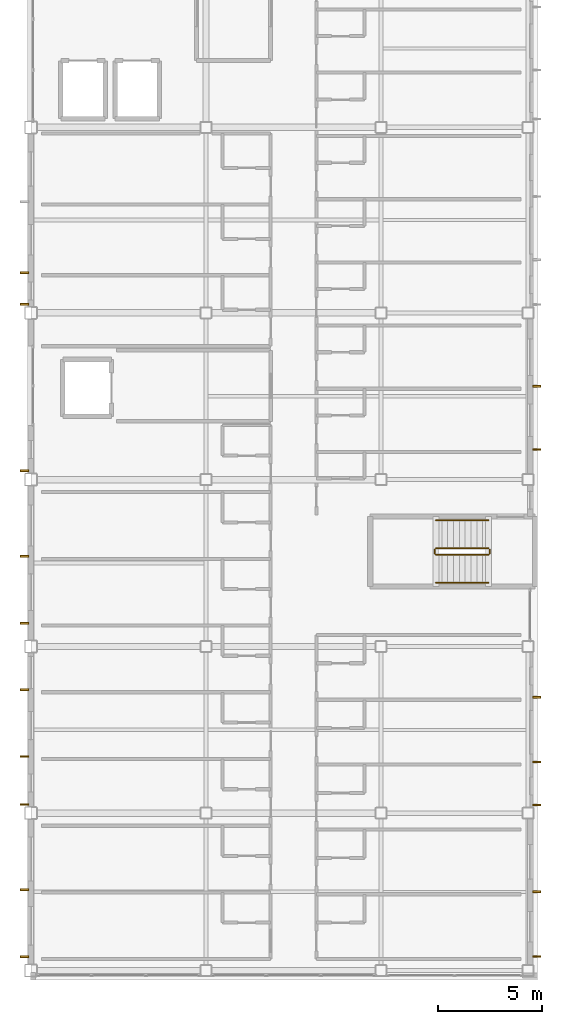
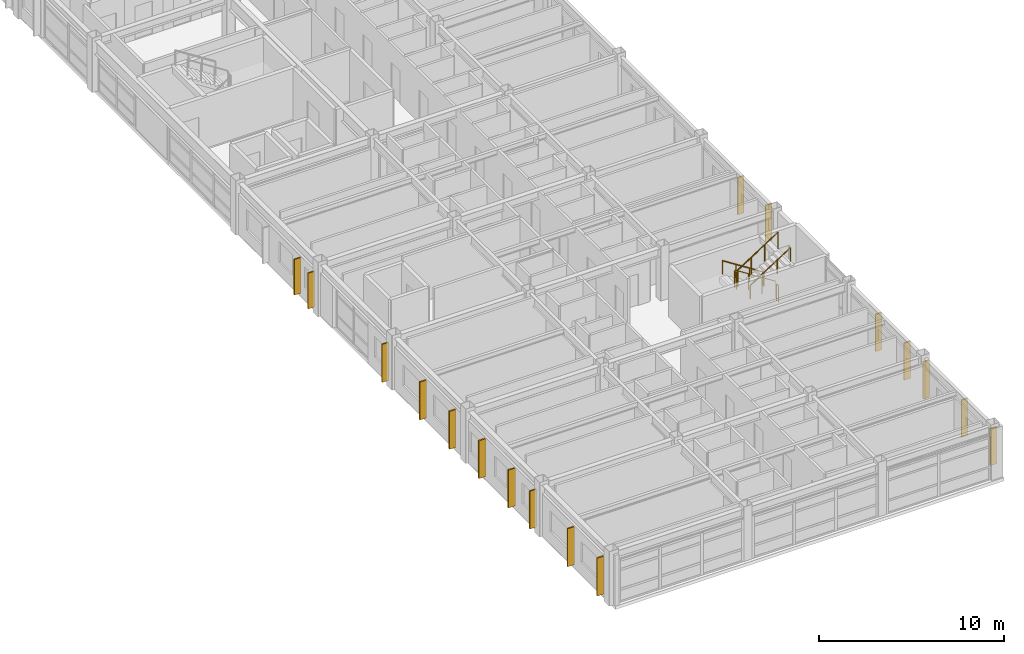
# One storey, part 35 of 38: 10 coverings, 7 shading devices, 6 railings.
"""IFC4 building model written with IfcOpenShell, lengths in metres."""

from ifc_helpers import new_model, si_unit, direction, frame, origin, origin_2d, place, context, subcontext, project, spatial, rectangle, circle, extrude, material, layer, layer_set, type_object, element, save


model = new_model("IFC4")

# Units and contexts
model_context = context("Model", 3, precision=1e-05, world=origin(), true_north=direction((0.0, 1.0)))
body_context = subcontext(model_context, "Body", "Model", "MODEL_VIEW")
ifc_project = project(units=[si_unit("LENGTHUNIT", "METRE"), si_unit("AREAUNIT", "SQUARE_METRE"), si_unit("VOLUMEUNIT", "CUBIC_METRE"), si_unit("PLANEANGLEUNIT", "RADIAN"), si_unit("MASSUNIT", "GRAM", prefix="KILO")], contexts=[model_context])

# Site, building, storey
site_placement = place(None, origin())
site = spatial("IfcSite", under=ifc_project, at=site_placement, CompositionType="ELEMENT")
building_placement = place(site_placement, origin())
building = spatial("IfcBuilding", under=site, at=building_placement, Name="Kazehara Bluff Congress Hotel", CompositionType="ELEMENT")
storey_placement = place(building_placement, frame((0.0, 0.0, 24.60009765625)))
storey = spatial("IfcBuildingStorey", under=building, at=storey_placement, Name="L05", CompositionType="ELEMENT", Elevation=24.60009765625)

# Coverings
ifc_material_1 = material(Name="Anodised aluminium architectural brise-soleil", Category="aluminium")
ifc_layer_1 = layer(ifc_material_1, 0.090087890625)
ifc_layer_set_1 = layer_set([ifc_layer_1], Name="Anodised aluminium architectural brise-soleil")
covering_type = type_object("IfcCoveringType", Name="TP-FFN-02", PredefinedType="CLADDING", material=ifc_layer_set_1)
for number, where, z_axis, x_axis, name in (
    (1, (143.389892578125, 1.1201171875, 0.197509765625), (0.0, 0.0, 1.0), (1.0, 0.0, 0.0), "L05 architectural vertical fin 27"),
    (2, (143.389892578125, 4.320068359375, 0.197509765625), (0.0, 0.0, 1.0), (1.0, 0.0, 0.0), "L05 architectural vertical fin 28"),
    (3, (143.389892578125, 8.419921875, 0.197509765625), (0.0, 0.0, 1.0), (1.0, 0.0, 0.0), "L05 architectural vertical fin 29"),
    (4, (143.389892578125, 10.719970703125, 0.197509765625), (0.0, 0.0, 1.0), (1.0, 0.0, 0.0), "L05 architectural vertical fin 30"),
    (5, (143.389892578125, 13.919921875, 0.197509765625), (0.0, 0.0, 1.0), (1.0, 0.0, 0.0), "L05 architectural vertical fin 31"),
    (6, (143.389892578125, 17.1201171875, 0.197509765625), (0.0, 0.0, 1.0), (1.0, 0.0, 0.0), "L05 architectural vertical fin 32"),
    (7, (143.389892578125, 20.320068359375, 0.197509765625), (0.0, 0.0, 1.0), (1.0, 0.0, 0.0), "L05 architectural vertical fin 33"),
    (8, (143.389892578125, 24.419921875, 0.197509765625), (0.0, 0.0, 1.0), (1.0, 0.0, 0.0), "L05 architectural vertical fin 34"),
):
    element("IfcCovering", number, at=place(storey_placement, frame(where, z_axis=z_axis, x_axis=x_axis)), inside=storey, type_object=covering_type, Name=name, PredefinedType="CLADDING", context=body_context, shape_type="SweptSolid", body=[
        extrude(rectangle(XDim=0.419921875, YDim=0.090087890625, at=origin_2d()), origin(), (0.0, 0.0, 1.0), 2.5048828125),
    ])
for number, where, z_axis, x_axis, name in (
    (9, (143.389892578125, 32.419921875, 0.202392578125), (0.0, 0.0, 1.0), (1.0, 0.0, 0.0), "L05 architectural vertical fin 35"),
    (10, (143.389892578125, 33.919921875, 0.202392578125), (0.0, 0.0, 1.0), (1.0, 0.0, 0.0), "L05 architectural vertical fin 36"),
):
    element("IfcCovering", number, at=place(storey_placement, frame(where, z_axis=z_axis, x_axis=x_axis)), inside=storey, type_object=covering_type, Name=name, PredefinedType="CLADDING", context=body_context, shape_type="SweptSolid", body=[
        extrude(rectangle(XDim=0.419921875, YDim=0.090087890625, at=origin_2d()), origin(), (0.0, 0.0, 1.0), 2.35498046875),
    ])

# Railings
ifc_material_2 = material(Name="Brushed stainless steel", Category="steel")
railing_type_1 = type_object("IfcRailingType", Name="TP-GRD-INT", PredefinedType="GUARDRAIL", material=ifc_material_2)
railing_1_placement = place(storey_placement, frame((165.64990234375, 20.699951171875, 0.179931640625)))
element("IfcRailing", 11, at=railing_1_placement, inside=storey, type_object=railing_type_1, Name="L05 ST-10 stair guard 1", PredefinedType="GUARDRAIL", context=body_context, shape_type="SweptSolid", body=[
    extrude(circle(Radius=0.02392578125, at=origin_2d()), frame((0.0, 0.0, 1.076171875), z_axis=(-0.841199657755, 0.0, 0.540724639528), x_axis=(0.0, -1.0, 0.0)), (0.0, 0.0, 1.0), 2.995849609375),
    extrude(circle(Radius=0.02099609375, at=origin_2d()), origin(), (0.0, 0.0, 1.0), 1.052001953125),
    extrude(circle(Radius=0.02099609375, at=origin_2d()), frame((-0.840087890625, 0.0, 0.5400390625)), (0.0, 0.0, 1.0), 1.052001953125),
    extrude(circle(Radius=0.02099609375, at=origin_2d()), frame((-1.679931640625, 0.0, 1.079833984375)), (0.0, 0.0, 1.0), 1.052001953125),
    extrude(circle(Radius=0.02099609375, at=origin_2d()), frame((-2.52001953125, 0.0, 1.619873046875)), (0.0, 0.0, 1.0), 1.052001953125),
])
railing_2_placement = place(storey_placement, frame((163.080078125, 20.64990234375, 1.7998046875)))
element("IfcRailing", 12, at=railing_2_placement, inside=storey, type_object=railing_type_1, Name="L05 ST-10 stair guard 2", PredefinedType="GUARDRAIL", context=body_context, shape_type="SweptSolid", body=[
    extrude(circle(Radius=0.02392578125, at=origin_2d()), frame((0.0, 0.0, 1.076171875), z_axis=(0.0, -1.0, 0.0), x_axis=(1.0, 0.0, 0.0)), (0.0, 0.0, 1.0), 0.199951171875),
    extrude(circle(Radius=0.02099609375, at=origin_2d()), origin(), (0.0, 0.0, 1.0), 1.052001953125),
    extrude(circle(Radius=0.02099609375, at=origin_2d()), frame((0.0, -0.199951171875, 0.0)), (0.0, 0.0, 1.0), 1.052001953125),
])
railing_3_placement = place(storey_placement, frame((163.1298828125, 20.39990234375, 1.97998046875)))
element("IfcRailing", 13, at=railing_3_placement, inside=storey, type_object=railing_type_1, Name="L05 ST-10 stair guard 3", PredefinedType="GUARDRAIL", context=body_context, shape_type="SweptSolid", body=[
    extrude(circle(Radius=0.02392578125, at=origin_2d()), frame((0.0, 0.0, 1.076171875), z_axis=(0.841199657755, 0.0, 0.540724639528), x_axis=(0.0, 1.0, 0.0)), (0.0, 0.0, 1.0), 2.995849609375),
    extrude(circle(Radius=0.02099609375, at=origin_2d()), origin(), (0.0, 0.0, 1.0), 1.052001953125),
    extrude(circle(Radius=0.02099609375, at=origin_2d()), frame((0.840087890625, 0.0, 0.5400390625)), (0.0, 0.0, 1.0), 1.052001953125),
    extrude(circle(Radius=0.02099609375, at=origin_2d()), frame((1.679931640625, 0.0, 1.079833984375)), (0.0, 0.0, 1.0), 1.052001953125),
    extrude(circle(Radius=0.02099609375, at=origin_2d()), frame((2.52001953125, 0.0, 1.619873046875)), (0.0, 0.0, 1.0), 1.052001953125),
])
railing_4_placement = place(storey_placement, frame((165.699951171875, 20.64990234375, 0.0)))
element("IfcRailing", 14, at=railing_4_placement, inside=storey, type_object=railing_type_1, Name="L05 ST-10 stair guard 4", PredefinedType="GUARDRAIL", context=body_context, shape_type="SweptSolid", body=[
    extrude(circle(Radius=0.02392578125, at=origin_2d()), frame((0.0, 0.0, 1.076171875), z_axis=(0.0, -1.0, 0.0), x_axis=(1.0, 0.0, 0.0)), (0.0, 0.0, 1.0), 0.199951171875),
    extrude(circle(Radius=0.02099609375, at=origin_2d()), origin(), (0.0, 0.0, 1.0), 1.052001953125),
    extrude(circle(Radius=0.02099609375, at=origin_2d()), frame((0.0, -0.199951171875, 0.0)), (0.0, 0.0, 1.0), 1.052001953125),
])
ifc_material_3 = material(Name="Brushed stainless steel", Category="steel")
railing_type_2 = type_object("IfcRailingType", Name="TP-HR-INT", PredefinedType="HANDRAIL", material=ifc_material_3)
railing_5_placement = place(storey_placement, frame((165.64990234375, 22.050048828125, 0.179931640625)))
element("IfcRailing", 15, at=railing_5_placement, inside=storey, type_object=railing_type_2, Name="L05 ST-10 stair handrail 1", PredefinedType="HANDRAIL", context=body_context, shape_type="SweptSolid", body=[
    extrude(circle(Radius=0.02392578125, at=origin_2d()), frame((0.0, 0.0, 0.8759765625), z_axis=(-0.841199657755, 0.0, 0.540724639528), x_axis=(0.0, -1.0, 0.0)), (0.0, 0.0, 1.0), 2.995849609375),
    extrude(circle(Radius=0.02099609375, at=origin_2d()), origin(), (0.0, 0.0, 1.0), 0.851806640625),
    extrude(circle(Radius=0.02099609375, at=origin_2d()), frame((-0.840087890625, 0.0, 0.5400390625)), (0.0, 0.0, 1.0), 0.851806640625),
    extrude(circle(Radius=0.02099609375, at=origin_2d()), frame((-1.679931640625, 0.0, 1.079833984375)), (0.0, 0.0, 1.0), 0.851806640625),
    extrude(circle(Radius=0.02099609375, at=origin_2d()), frame((-2.52001953125, 0.0, 1.619873046875)), (0.0, 0.0, 1.0), 0.851806640625),
])
railing_6_placement = place(storey_placement, frame((163.1298828125, 19.050048828125, 1.97998046875)))
element("IfcRailing", 16, at=railing_6_placement, inside=storey, type_object=railing_type_2, Name="L05 ST-10 stair handrail 2", PredefinedType="HANDRAIL", context=body_context, shape_type="SweptSolid", body=[
    extrude(circle(Radius=0.02392578125, at=origin_2d()), frame((0.0, 0.0, 0.8759765625), z_axis=(0.841199657755, 0.0, 0.540724639528), x_axis=(0.0, 1.0, 0.0)), (0.0, 0.0, 1.0), 2.995849609375),
    extrude(circle(Radius=0.02099609375, at=origin_2d()), origin(), (0.0, 0.0, 1.0), 0.851806640625),
    extrude(circle(Radius=0.02099609375, at=origin_2d()), frame((0.840087890625, 0.0, 0.5400390625)), (0.0, 0.0, 1.0), 0.851806640625),
    extrude(circle(Radius=0.02099609375, at=origin_2d()), frame((1.679931640625, 0.0, 1.079833984375)), (0.0, 0.0, 1.0), 0.851806640625),
    extrude(circle(Radius=0.02099609375, at=origin_2d()), frame((2.52001953125, 0.0, 1.619873046875)), (0.0, 0.0, 1.0), 0.851806640625),
])

# Shading devices
ifc_material_4 = material(Name="Anodised aluminium", Category="aluminium")
ifc_layer_2 = layer(ifc_material_4, 0.080078125)
ifc_layer_set_2 = layer_set([ifc_layer_2], Name="Anodised aluminium")
shading_device_type = type_object("IfcShadingDeviceType", Name="TP-SHD-FIN", PredefinedType="USERDEFINED", material=ifc_layer_set_2)
for number, where, z_axis, x_axis, name in (
    (17, (167.9599609375, 1.1201171875, 0.202392578125), (0.0, 0.0, 1.0), (1.0, 0.0, 0.0), "L05 solar shading fin 1"),
    (18, (167.9599609375, 4.22998046875, 0.202392578125), (0.0, 0.0, 1.0), (1.0, 0.0, 0.0), "L05 solar shading fin 2"),
    (19, (167.9599609375, 8.39501953125, 0.202392578125), (0.0, 0.0, 1.0), (1.0, 0.0, 0.0), "L05 solar shading fin 3"),
    (20, (167.9599609375, 10.449951171875, 0.202392578125), (0.0, 0.0, 1.0), (1.0, 0.0, 0.0), "L05 solar shading fin 4"),
    (21, (167.9599609375, 13.56005859375, 0.202392578125), (0.0, 0.0, 1.0), (1.0, 0.0, 0.0), "L05 solar shading fin 5"),
    (22, (167.9599609375, 25.449951171875, 0.202392578125), (0.0, 0.0, 1.0), (1.0, 0.0, 0.0), "L05 solar shading fin 6"),
    (23, (167.9599609375, 28.47998046875, 0.202392578125), (0.0, 0.0, 1.0), (1.0, 0.0, 0.0), "L05 solar shading fin 7"),
):
    element("IfcShadingDevice", number, at=place(storey_placement, frame(where, z_axis=z_axis, x_axis=x_axis)), inside=storey, type_object=shading_device_type, Name=name, ObjectType="FIN", PredefinedType="USERDEFINED", context=body_context, shape_type="SweptSolid", body=[
        extrude(rectangle(XDim=0.3798828125, YDim=0.080078125, at=origin_2d()), origin(), (0.0, 0.0, 1.0), 2.455078125),
    ])

save(model, "model.ifc")
